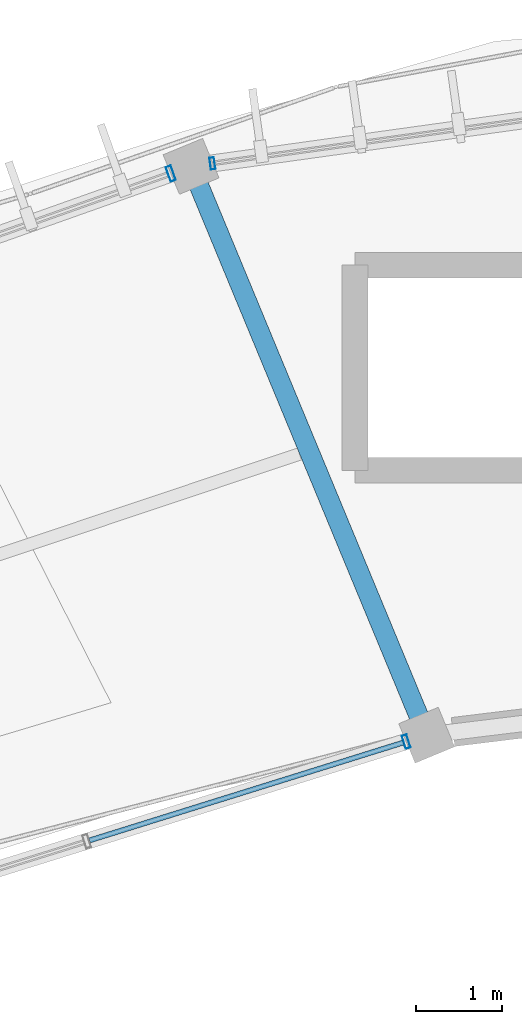
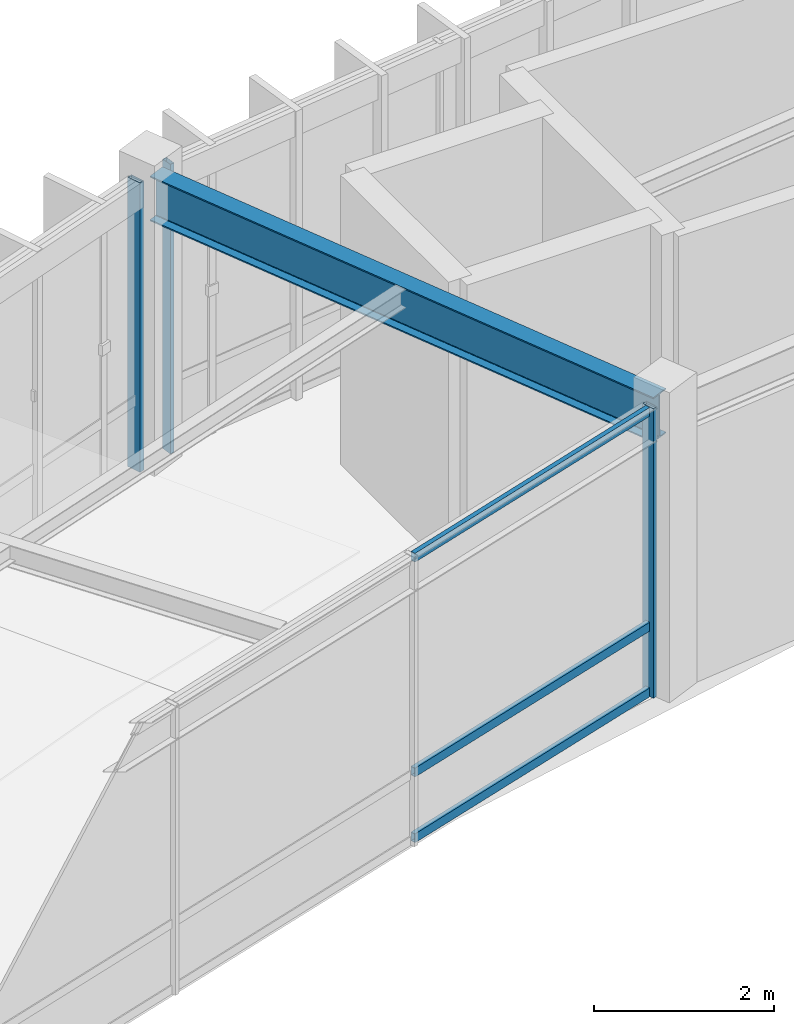
# One storey, part 34 of 78: 6 members, 1 beam, 3 elements without a shape of their own.
"""IFC4 building model written with IfcOpenShell, lengths in metres."""

from ifc_helpers import new_model, si_unit, direction, frame, origin, origin_2d, place, context, subcontext, project, spatial, hollow_rectangle, i_section, extrude, material, material_profile, profile_set, type_object, element, aggregate, save


model = new_model("IFC4")

# Units and contexts
model_context = context("Model", 3, precision=1e-05, world=origin(), true_north=direction((0.0, 1.0)))
body_context = subcontext(model_context, "Body", "Model", "MODEL_VIEW")
ifc_project = project(units=[si_unit("LENGTHUNIT", "METRE"), si_unit("AREAUNIT", "SQUARE_METRE"), si_unit("VOLUMEUNIT", "CUBIC_METRE"), si_unit("PLANEANGLEUNIT", "RADIAN"), si_unit("MASSUNIT", "GRAM", prefix="KILO"), si_unit("THERMODYNAMICTEMPERATUREUNIT", "KELVIN"), si_unit("POWERUNIT", "WATT")], contexts=[model_context])

# Site, building, storey
site_placement = place(None, origin())
site = spatial("IfcSite", under=ifc_project, at=site_placement, CompositionType="ELEMENT")
building_placement = place(site_placement, origin())
building = spatial("IfcBuilding", under=site, at=building_placement, Name="Darbajah Civic Hall", CompositionType="ELEMENT")
storey_placement = place(building_placement, frame((0.0, 0.0, 26.39990234375)))
storey = spatial("IfcBuildingStorey", under=building, at=storey_placement, Name="L06", CompositionType="ELEMENT", Elevation=26.39990234375)

# Curtain wall, member
ifc_material_1 = material(Name="Anodised Bronze Aluminium and Low-E Glazing", Category="aluminium")
curtain_wall_type_1 = type_object("IfcCurtainWallType", Name="Unitised Curtain Wall CW-32 15200x3900", PredefinedType="USERDEFINED", material=ifc_material_1)
curtain_wall_1_placement = place(storey_placement, origin())
curtain_wall_1 = element("IfcCurtainWall", 1, at=curtain_wall_1_placement, inside=storey, type_object=curtain_wall_type_1, Name="L06 unitised curtain wall CW-V1O-L06-05", ObjectType="UNITISED CURTAIN WALL", PredefinedType="USERDEFINED")
ifc_material_2 = material(Name="Anodised Bronze Aluminium", Category="aluminium")
ifc_material_profile_1 = material_profile(ifc_material_2, hollow_rectangle(XDim=0.054931640625, YDim=0.139892578125, WallThickness=0.003173828125, at=origin_2d()), Name="ALU MULLION 55x140")
ifc_profile_set_1 = profile_set([ifc_material_profile_1], Name="Anodised Bronze Aluminium")
member_type_1 = type_object("IfcMemberType", Name="ALU MULLION 55x140", PredefinedType="MULLION", material=ifc_profile_set_1)
member_1_placement = place(storey_placement, frame((69.832763671875, 117.089111328125, 0.0), z_axis=(0.0, 0.0, 1.0), x_axis=(-0.990485459553, -0.137617420457, 0.0)))
member_1 = element("IfcMember", 2, at=member_1_placement, type_object=member_type_1, Name="CW-V1O-L06-05 mullion 5", PredefinedType="MULLION", context=body_context, shape_type="SweptSolid", body=[
    extrude(hollow_rectangle(XDim=0.054931640625, YDim=0.139892578125, WallThickness=0.003173828125, at=origin_2d()), origin(), (0.0, 0.0, 1.0), 3.920166015625),
])
aggregate(curtain_wall_1, [member_1])

curtain_wall_type_2 = type_object("IfcCurtainWallType", Name="Unitised Curtain Wall CW-67 11700x3900", PredefinedType="USERDEFINED", material=ifc_material_1)
curtain_wall_2_placement = place(storey_placement, origin())
curtain_wall_2 = element("IfcCurtainWall", 3, at=curtain_wall_2_placement, inside=storey, type_object=curtain_wall_type_2, Name="L06 unitised curtain wall CW-V1I-L06-06", ObjectType="UNITISED CURTAIN WALL", PredefinedType="USERDEFINED")
ifc_material_profile_2 = material_profile(ifc_material_2, hollow_rectangle(XDim=0.06005859375, YDim=0.159912109375, WallThickness=0.00341796875, at=origin_2d()), Name="ALU MULLION 60x160")
ifc_profile_set_2 = profile_set([ifc_material_profile_2], Name="Anodised Bronze Aluminium")
member_type_2 = type_object("IfcMemberType", Name="ALU MULLION 60x160", PredefinedType="MULLION", material=ifc_profile_set_2)
member_2_placement = place(storey_placement, frame((72.097900390625, 110.327392578125, 0.0), z_axis=(0.0, 0.0, 1.0), x_axis=(-0.954604963513, -0.297874744877, 0.0)))
member_2 = element("IfcMember", 4, at=member_2_placement, type_object=member_type_2, Name="CW-V1I-L06-06 mullion 1", PredefinedType="MULLION", context=body_context, shape_type="SweptSolid", body=[
    extrude(hollow_rectangle(XDim=0.06005859375, YDim=0.159912109375, WallThickness=0.00341796875, at=origin_2d()), origin(), (0.0, 0.0, 1.0), 3.920166015625),
])

curtain_wall_type_3 = type_object("IfcCurtainWallType", Name="Unitised Curtain Wall CW-80 13900x3900", PredefinedType="USERDEFINED", material=ifc_material_1)
curtain_wall_3_placement = place(storey_placement, origin())
curtain_wall_3 = element("IfcCurtainWall", 5, at=curtain_wall_3_placement, inside=storey, type_object=curtain_wall_type_3, Name="L06 unitised curtain wall CW-V1O-L06-06", ObjectType="UNITISED CURTAIN WALL", PredefinedType="USERDEFINED")
ifc_material_profile_3 = material_profile(ifc_material_2, hollow_rectangle(XDim=0.06494140625, YDim=0.179931640625, WallThickness=0.00390625, at=origin_2d()), Name="ALU MULLION 65x180")
ifc_profile_set_3 = profile_set([ifc_material_profile_3], Name="Anodised Bronze Aluminium")
member_type_3 = type_object("IfcMemberType", Name="ALU MULLION 65x180", PredefinedType="MULLION", material=ifc_profile_set_3)
member_3_placement = place(storey_placement, frame((69.345703125, 116.97021484375, 0.0), z_axis=(0.0, 0.0, 1.0), x_axis=(-0.94252491309, -0.334135882844, 0.0)))
member_3 = element("IfcMember", 6, at=member_3_placement, type_object=member_type_3, Name="CW-V1O-L06-06 mullion 1", PredefinedType="MULLION", context=body_context, shape_type="SweptSolid", body=[
    extrude(hollow_rectangle(XDim=0.06494140625, YDim=0.179931640625, WallThickness=0.00390625, at=origin_2d()), origin(), (0.0, 0.0, 1.0), 3.920166015625),
])
aggregate(curtain_wall_3, [member_3])

# Member
ifc_material_profile_4 = material_profile(ifc_material_2, hollow_rectangle(XDim=0.06005859375, YDim=0.1201171875, WallThickness=0.003173828125, at=origin_2d()), Name="ALU TRANSOM 60x120")
ifc_profile_set_4 = profile_set([ifc_material_profile_4], Name="Anodised Bronze Aluminium")
member_type_4 = type_object("IfcMemberType", Name="ALU TRANSOM 60x120", PredefinedType="USERDEFINED", material=ifc_profile_set_4)
member_4_placement = place(storey_placement, frame((72.064453125, 110.31689453125, 0.06005859375), z_axis=(-0.954631377136, -0.297790083428, 0.0), x_axis=(0.297790083428, -0.954631377136, 0.0)))
member_4 = element("IfcMember", 7, at=member_4_placement, type_object=member_type_4, Name="CW-V1I-L06-06 transom 1.1", ObjectType="TRANSOM", PredefinedType="USERDEFINED", context=body_context, shape_type="SweptSolid", body=[
    extrude(hollow_rectangle(XDim=0.06005859375, YDim=0.1201171875, WallThickness=0.003173828125, at=origin_2d()), origin(), (0.0, 0.0, 1.0), 3.841796875),
])

member_5_placement = place(storey_placement, frame((72.064453125, 110.31689453125, 0.9501953125), z_axis=(-0.954631377136, -0.297790083428, 0.0), x_axis=(0.297790083428, -0.954631377136, 0.0)))
member_5 = element("IfcMember", 8, at=member_5_placement, type_object=member_type_4, Name="CW-V1I-L06-06 transom 1.2", ObjectType="TRANSOM", PredefinedType="USERDEFINED", context=body_context, shape_type="SweptSolid", body=[
    extrude(hollow_rectangle(XDim=0.06005859375, YDim=0.1201171875, WallThickness=0.003173828125, at=origin_2d()), origin(), (0.0, 0.0, 1.0), 3.841796875),
])

member_6_placement = place(storey_placement, frame((72.064453125, 110.31689453125, 3.860107421875), z_axis=(-0.954631377136, -0.297790083428, 0.0), x_axis=(0.297790083428, -0.954631377136, 0.0)))
member_6 = element("IfcMember", 9, at=member_6_placement, type_object=member_type_4, Name="CW-V1I-L06-06 transom 1.3", ObjectType="TRANSOM", PredefinedType="USERDEFINED", context=body_context, shape_type="SweptSolid", body=[
    extrude(hollow_rectangle(XDim=0.06005859375, YDim=0.1201171875, WallThickness=0.003173828125, at=origin_2d()), origin(), (0.0, 0.0, 1.0), 3.841796875),
])

aggregate(curtain_wall_2, [member_2, member_4, member_5, member_6])

# Beam
ifc_material_3 = material(Name="Steel S355JR", Category="steel")
ifc_material_profile_5 = material_profile(ifc_material_3, i_section(OverallWidth=0.228271484375, OverallDepth=0.607666015625, WebThickness=0.010986328125, FlangeThickness=0.017333984375, FilletRadius=0.0126953125, at=origin_2d()), Name="UB 610x229x113")
ifc_profile_set_5 = profile_set([ifc_material_profile_5], Name="Steel S355JR")
beam_type = type_object("IfcBeamType", Name="UB 610x229x113", PredefinedType="BEAM", material=ifc_profile_set_5)
beam_placement = place(storey_placement, frame((72.307861328125, 110.476318359375, 3.6162109375), z_axis=(-0.382681552297, 0.923880311259, 0.0), x_axis=(-0.923880311259, -0.382681552297, 0.0)))
element("IfcBeam", 10, at=beam_placement, inside=storey, type_object=beam_type, Name="L06 beam SB-610", PredefinedType="BEAM", context=body_context, shape_type="SweptSolid", body=[
    extrude(i_section(OverallWidth=0.228271484375, OverallDepth=0.607666015625, WebThickness=0.010986328125, FlangeThickness=0.017333984375, FilletRadius=0.0126953125, at=origin_2d()), origin(), (0.0, 0.0, 1.0), 7.0400390625),
])

save(model, "model.ifc")
